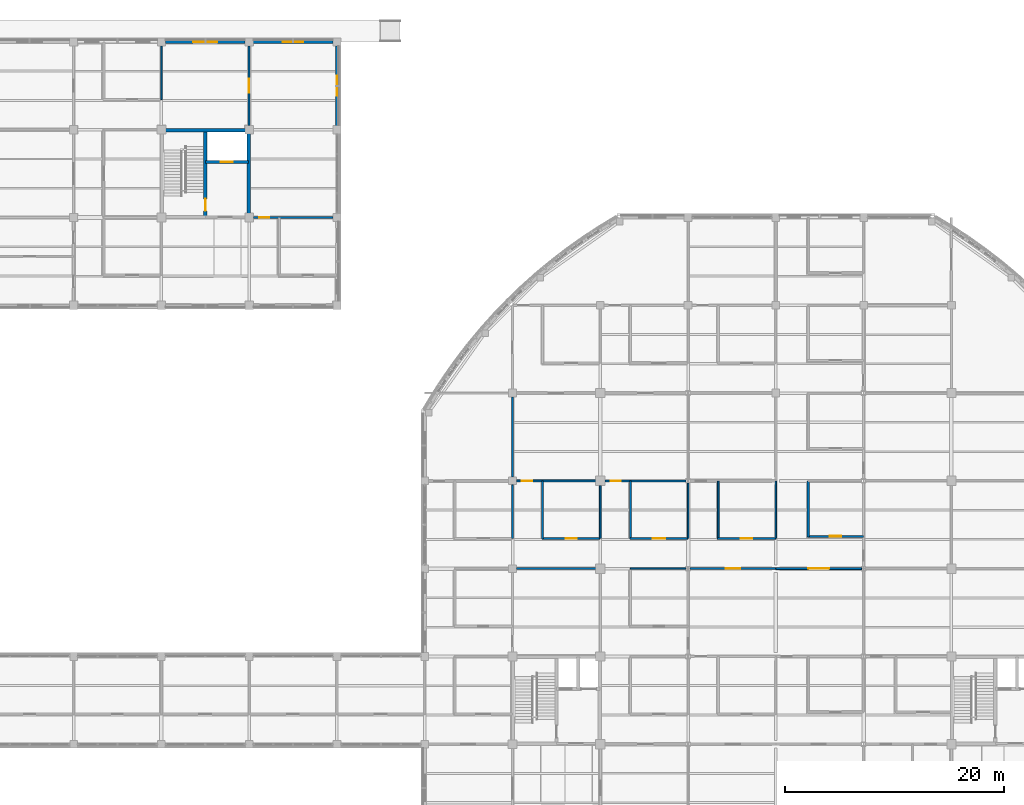
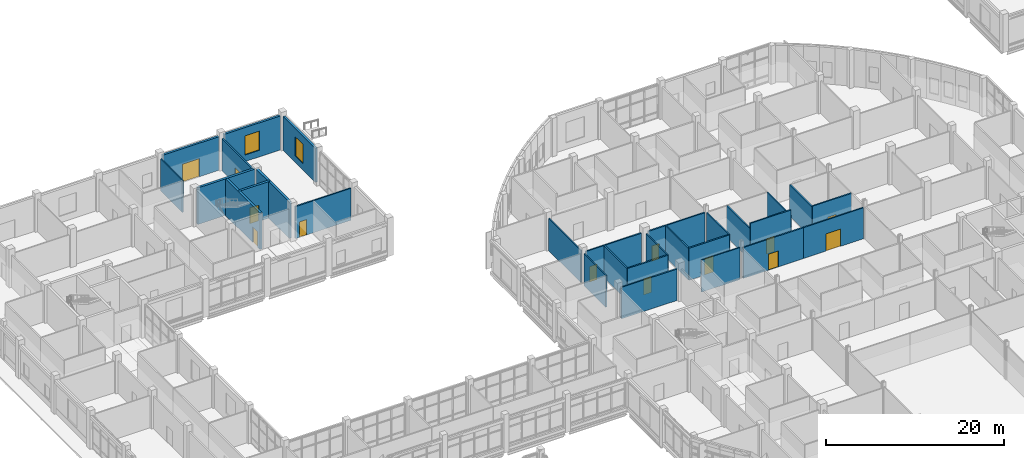
# One storey, part 71 of 105: 29 walls, 13 doors, 2 windows, 15 openings.
"""IFC4 building model written with IfcOpenShell, lengths in metres."""

from ifc_helpers import new_model, si_unit, derived_unit, direction, frame, frame_2d, origin, place, context, subcontext, project, spatial, rectangle, extrude, material, layer, layer_set, type_object, element, fill, save


model = new_model("IFC4")

# Units and contexts
model_context = context("Model", 3, precision=1e-05, world=origin(), true_north=direction((0.0, 1.0)))
body_context = subcontext(model_context, "Body", "Model", "MODEL_VIEW")
ifc_project = project(units=[si_unit("LENGTHUNIT", "METRE"), si_unit("AREAUNIT", "SQUARE_METRE"), si_unit("VOLUMEUNIT", "CUBIC_METRE"), si_unit("PLANEANGLEUNIT", "RADIAN"), si_unit("MASSUNIT", "GRAM", prefix="KILO"), derived_unit("THERMALTRANSMITTANCEUNIT", [(si_unit("MASSUNIT", "GRAM", prefix="KILO"), 1), (si_unit("TIMEUNIT", "SECOND"), -3), (si_unit("THERMODYNAMICTEMPERATUREUNIT", "KELVIN"), -1)])], contexts=[model_context])

# Site, building, storey
site_placement = place(None, origin())
site = spatial("IfcSite", under=ifc_project, at=site_placement, CompositionType="ELEMENT")
building_placement = place(site_placement, origin())
building = spatial("IfcBuilding", under=site, at=building_placement, Name="Veyamyaing Civic Hall", CompositionType="ELEMENT")
storey_placement = place(building_placement, origin())
storey = spatial("IfcBuildingStorey", under=building, at=storey_placement, Name="L00", CompositionType="ELEMENT", Elevation=0.0)

# Wall, opening, door
ifc_material_1 = material(Name="Precast concrete C40/50", Category="concrete")
ifc_layer_1 = layer(ifc_material_1, 0.280029296875, Name="Precast concrete C40/50")
ifc_layer_set_1 = layer_set([ifc_layer_1], Name="Precast concrete C40/50")
wall_type_1 = type_object("IfcWallType", Name="WT-04", PredefinedType="SOLIDWALL", material=ifc_layer_set_1)
wall_1_placement = place(storey_placement, frame((32.360107421875, 112.0, 0.0), z_axis=(0.0, 0.0, 1.0), x_axis=(1.0, 0.0, 0.0)))
wall_1 = element("IfcWall", 1, at=wall_1_placement, inside=storey, type_object=wall_type_1, Name="Exterior facade wall WT-04 L00 N 5.14", PredefinedType="SOLIDWALL", context=body_context, shape_type="SweptSolid", body=[
    extrude(rectangle(XDim=7.27978515625, YDim=0.280029296875, at=frame_2d((3.639892578125, 0.0))), origin(), (0.0, 0.0, 1.0), 4.614013671875),
])
opening_1_placement = place(wall_1_placement, frame((2.5400390625, 0.0, 0.0)))
opening_1 = element("IfcOpeningElement", 2, at=opening_1_placement, cuts=wall_1, Name="Opening D-01", PredefinedType="OPENING", context=body_context, shape_type="SweptSolid", body=[
    extrude(rectangle(XDim=2.199951171875, YDim=2.5, at=frame_2d((1.10009765625, 1.25))), frame((0.0, 0.14990234375, 0.0), z_axis=(0.0, -1.0, 0.0), x_axis=(1.0, 0.0, 0.0)), (0.0, 0.0, 1.0), 0.300048828125),
])
ifc_material_2 = material(Name="Anodised aluminium 6063-T6", Category="aluminium")
door_type_1 = type_object("IfcDoorType", Name="D-01", OperationType="DOUBLE_DOOR_SINGLE_SWING", PredefinedType="DOOR", material=ifc_material_2)
door_1_placement = place(opening_1_placement, origin())
door_1 = element("IfcDoor", 3, at=door_1_placement, inside=storey, type_object=door_type_1, Name="Main pedestrian final exit EX-07", OperationType="DOUBLE_DOOR_SINGLE_SWING", OverallHeight=2.5, OverallWidth=2.199951171875, PredefinedType="DOOR", context=body_context, shape_type="SweptSolid", body=[
    extrude(rectangle(XDim=2.199951171875, YDim=2.5, at=frame_2d((1.10009765625, 1.25))), frame((0.0, 0.02490234375, 0.0), z_axis=(0.0, -1.0, 0.0), x_axis=(1.0, 0.0, 0.0)), (0.0, 0.0, 1.0), 0.050048828125),
])
fill(opening_1, door_1)

# Wall, opening, window
wall_2_placement = place(storey_placement, frame((40.360107421875, 112.0, 0.0), z_axis=(0.0, 0.0, 1.0), x_axis=(1.0, 0.0, 0.0)))
wall_2 = element("IfcWall", 4, at=wall_2_placement, inside=storey, type_object=wall_type_1, Name="Exterior facade wall WT-04 L00 N 6.14", PredefinedType="SOLIDWALL", context=body_context, shape_type="SweptSolid", body=[
    extrude(rectangle(XDim=7.27978515625, YDim=0.280029296875, at=frame_2d((3.639892578125, 0.0))), origin(), (0.0, 0.0, 1.0), 4.677001953125),
])
opening_2_placement = place(wall_2_placement, frame((2.715087890625, 0.0, 0.89990234375)))
opening_2 = element("IfcOpeningElement", 5, at=opening_2_placement, cuts=wall_2, Name="Opening W-03", PredefinedType="OPENING", context=body_context, shape_type="SweptSolid", body=[
    extrude(rectangle(XDim=1.85009765625, YDim=2.64990234375, at=frame_2d((0.925048828125, 1.324951171875))), frame((0.0, 0.14990234375, 0.0), z_axis=(0.0, -1.0, 0.0), x_axis=(1.0, 0.0, 0.0)), (0.0, 0.0, 1.0), 0.300048828125),
])
ifc_material_3 = material(Name="Low-E insulated glass", Category="glass")
window_type = type_object("IfcWindowType", Name="W-03", PartitioningType="SINGLE_PANEL", PredefinedType="WINDOW", material=ifc_material_3)
window_1_placement = place(opening_2_placement, origin())
window_1 = element("IfcWindow", 6, at=window_1_placement, inside=storey, type_object=window_type, Name="Facade window W-03 L00 N 6.14", OverallHeight=2.64990234375, OverallWidth=1.85009765625, PartitioningType="SINGLE_PANEL", PredefinedType="WINDOW", context=body_context, shape_type="SweptSolid", body=[
    extrude(rectangle(XDim=1.85009765625, YDim=2.64990234375, at=frame_2d((0.925048828125, 1.324951171875))), frame((0.0, 0.030029296875, 0.0), z_axis=(0.0, -1.0, 0.0), x_axis=(1.0, 0.0, 0.0)), (0.0, 0.0, 1.0), 0.06005859375),
])
fill(opening_2, window_1)

wall_3_placement = place(storey_placement, frame((48.0, 104.360107421875, 0.0), z_axis=(0.0, 0.0, 1.0), x_axis=(0.0, 1.0, 0.0)))
wall_3 = element("IfcWall", 7, at=wall_3_placement, inside=storey, type_object=wall_type_1, Name="Exterior facade wall WT-04 L00 E 6.14", PredefinedType="SOLIDWALL", context=body_context, shape_type="SweptSolid", body=[
    extrude(rectangle(XDim=7.27978515625, YDim=0.280029296875, at=frame_2d((3.639892578125, 0.0))), origin(), (0.0, 0.0, 1.0), 4.677001953125),
])
opening_3_placement = place(wall_3_placement, frame((2.715087890625, 0.0, 0.89990234375)))
opening_3 = element("IfcOpeningElement", 8, at=opening_3_placement, cuts=wall_3, Name="Opening W-03", PredefinedType="OPENING", context=body_context, shape_type="SweptSolid", body=[
    extrude(rectangle(XDim=1.85009765625, YDim=2.64990234375, at=frame_2d((0.925048828125, 1.324951171875))), frame((0.0, 0.14990234375, 0.0), z_axis=(0.0, -1.0, 0.0), x_axis=(1.0, 0.0, 0.0)), (0.0, 0.0, 1.0), 0.300048828125),
])
window_2_placement = place(opening_3_placement, origin())
window_2 = element("IfcWindow", 9, at=window_2_placement, inside=storey, type_object=window_type, Name="Facade window W-03 L00 E 6.14", OverallHeight=2.64990234375, OverallWidth=1.85009765625, PartitioningType="SINGLE_PANEL", PredefinedType="WINDOW", context=body_context, shape_type="SweptSolid", body=[
    extrude(rectangle(XDim=1.85009765625, YDim=2.64990234375, at=frame_2d((0.925048828125, 1.324951171875))), frame((0.0, 0.030029296875, 0.0), z_axis=(0.0, -1.0, 0.0), x_axis=(1.0, 0.0, 0.0)), (0.0, 0.0, 1.0), 0.06005859375),
])
fill(opening_3, window_2)

# Walls
ifc_material_4 = material(Name="Concrete C40/50", Category="concrete")
ifc_layer_2 = layer(ifc_material_4, 0.300048828125, Name="Concrete C40/50")
ifc_layer_set_2 = layer_set([ifc_layer_2], Name="Concrete C40/50")
wall_type_2 = type_object("IfcWallType", Name="WT-05", PredefinedType="SHEAR", material=ifc_layer_set_2)
for number, where, z_axis, x_axis, name in (
    (10, (32.2900390625, 103.949951171875, 0.0), (0.0, 0.0, 1.0), (1.0, 0.0, 0.0), "Core shear wall WT-05 CORE-2 L00.N"),
    (11, (39.949951171875, 96.2900390625, 0.0), (0.0, 0.0, 1.0), (0.0, 1.0, 0.0), "Core shear wall WT-05 CORE-2 L00.E"),
):
    element("IfcWall", number, at=place(storey_placement, frame(where, z_axis=z_axis, x_axis=x_axis)), inside=storey, type_object=wall_type_2, Name=name, PredefinedType="SHEAR", context=body_context, shape_type="SweptSolid", body=[
        extrude(rectangle(XDim=7.419921875, YDim=0.300048828125, at=frame_2d((3.7099609375, 0.0))), origin(), (0.0, 0.0, 1.0), 5.034912109375),
    ])

# Wall, opening, door
wall_4_placement = place(storey_placement, frame((36.0, 96.050048828125, 0.0), z_axis=(0.0, 0.0, 1.0), x_axis=(0.0, 1.0, 0.0)))
wall_4 = element("IfcWall", 12, at=wall_4_placement, inside=storey, type_object=wall_type_2, Name="Core shear wall WT-05 CORE-2 L00.MID", PredefinedType="SHEAR", context=body_context, shape_type="SweptSolid", body=[
    extrude(rectangle(XDim=7.89990234375, YDim=0.300048828125, at=frame_2d((3.949951171875, 0.0))), origin(), (0.0, 0.0, 1.0), 5.034912109375),
])
opening_4_placement = place(wall_4_placement, frame((0.550048828125, 0.0, 0.0)))
opening_4 = element("IfcOpeningElement", 13, at=opening_4_placement, cuts=wall_4, Name="Opening D-03", PredefinedType="OPENING", context=body_context, shape_type="SweptSolid", body=[
    extrude(rectangle(XDim=1.10009765625, YDim=2.14990234375, at=frame_2d((0.550048828125, 1.074951171875))), frame((0.0, 0.159912109375, 0.0), z_axis=(0.0, -1.0, 0.0), x_axis=(1.0, 0.0, 0.0)), (0.0, 0.0, 1.0), 0.320068359375),
])
ifc_material_5 = material(Name="Galvanized steel S355J2", Category="steel")
door_type_2 = type_object("IfcDoorType", Name="D-03", OperationType="NOTDEFINED", PredefinedType="DOOR", material=ifc_material_5)
door_2_placement = place(opening_4_placement, frame((1.10009765625, 0.0, 0.0), z_axis=(0.0, 0.0, 1.0), x_axis=(-1.0, 0.0, 0.0)))
door_2 = element("IfcDoor", 14, at=door_2_placement, inside=storey, type_object=door_type_2, Name="Exit stair fire door D-03 ST-02 L00", OperationType="SINGLE_SWING_RIGHT", OverallHeight=2.14990234375, OverallWidth=1.10009765625, PredefinedType="DOOR", context=body_context, shape_type="SweptSolid", body=[
    extrude(rectangle(XDim=1.10009765625, YDim=2.14990234375, at=frame_2d((0.550048828125, 1.074951171875))), frame((0.0, 0.02490234375, 0.0), z_axis=(0.0, -1.0, 0.0), x_axis=(1.0, 0.0, 0.0)), (0.0, 0.0, 1.0), 0.050048828125),
])
fill(opening_4, door_2)

wall_5_placement = place(storey_placement, frame((36.0, 101.050048828125, 0.0), z_axis=(0.0, 0.0, 1.0), x_axis=(1.0, 0.0, 0.0)))
wall_5 = element("IfcWall", 15, at=wall_5_placement, inside=storey, type_object=wall_type_2, Name="Core shear wall WT-05 CORE-2 L00.LFT", PredefinedType="SHEAR", context=body_context, shape_type="SweptSolid", body=[
    extrude(rectangle(XDim=3.949951171875, YDim=0.300048828125, at=frame_2d((1.97509765625, 0.0))), origin(), (0.0, 0.0, 1.0), 5.034912109375),
])
opening_5_placement = place(wall_5_placement, frame((1.425048828125, 0.0, 0.0)))
opening_5 = element("IfcOpeningElement", 16, at=opening_5_placement, cuts=wall_5, Name="Opening LD-01", PredefinedType="OPENING", context=body_context, shape_type="SweptSolid", body=[
    extrude(rectangle(XDim=1.10009765625, YDim=2.199951171875, at=frame_2d((0.550048828125, 1.10009765625))), frame((0.0, 0.159912109375, 0.0), z_axis=(0.0, -1.0, 0.0), x_axis=(1.0, 0.0, 0.0)), (0.0, 0.0, 1.0), 0.320068359375),
])
door_type_3 = type_object("IfcDoorType", Name="LD-01", OperationType="SLIDING_TO_LEFT", PredefinedType="DOOR", material=ifc_material_2)
door_3_placement = place(opening_5_placement, origin())
door_3 = element("IfcDoor", 17, at=door_3_placement, inside=storey, type_object=door_type_3, Name="Lift sliding landing door LD-01 PL-01 L00", OperationType="SLIDING_TO_LEFT", OverallHeight=2.199951171875, OverallWidth=1.10009765625, PredefinedType="DOOR", context=body_context, shape_type="SweptSolid", body=[
    extrude(rectangle(XDim=1.10009765625, YDim=2.199951171875, at=frame_2d((0.550048828125, 1.10009765625))), frame((0.0, 0.02490234375, 0.0), z_axis=(0.0, -1.0, 0.0), x_axis=(1.0, 0.0, 0.0)), (0.0, 0.0, 1.0), 0.050048828125),
])
fill(opening_5, door_3)

ifc_material_6 = material(Name="Gypsum board on acoustic steel stud", Category="steel")
ifc_layer_3 = layer(ifc_material_6, 0.175048828125, Name="Gypsum board on acoustic steel stud")
ifc_layer_set_3 = layer_set([ifc_layer_3], Name="Gypsum board on acoustic steel stud")
wall_type_3 = type_object("IfcWallType", Name="WT-07", PredefinedType="PARTITIONING", material=ifc_layer_set_3)
wall_6_placement = place(storey_placement, frame((82.699951171875, 66.75, 0.0), z_axis=(0.0, 0.0, 1.0), x_axis=(1.0, 0.0, 0.0)))
wall_6 = element("IfcWall", 18, at=wall_6_placement, inside=storey, type_object=wall_type_3, Name="Corridor gallery partition WT-07 L00.39.1", PredefinedType="PARTITIONING", context=body_context, shape_type="SweptSolid", body=[
    extrude(rectangle(XDim=5.280029296875, YDim=0.175048828125, at=frame_2d((2.64013671875, 0.0))), origin(), (0.0, 0.0, 1.0), 5.02490234375),
])
opening_6_placement = place(wall_6_placement, frame((2.114990234375, 0.0, 0.0)))
opening_6 = element("IfcOpeningElement", 19, at=opening_6_placement, cuts=wall_6, Name="Opening D-12", PredefinedType="OPENING", context=body_context, shape_type="SweptSolid", body=[
    extrude(rectangle(XDim=1.050048828125, YDim=2.14990234375, at=frame_2d((0.52490234375, 1.074951171875))), frame((0.0, 0.097412109375, 0.0), z_axis=(0.0, -1.0, 0.0), x_axis=(1.0, 0.0, 0.0)), (0.0, 0.0, 1.0), 0.195068359375),
])
ifc_material_7 = material(Name="Teak-veneered acoustic timber", Category="wood")
door_type_4 = type_object("IfcDoorType", Name="D-12", OperationType="NOTDEFINED", PredefinedType="DOOR", material=ifc_material_7)
door_4_placement = place(opening_6_placement, origin())
door_4 = element("IfcDoor", 20, at=door_4_placement, inside=storey, type_object=door_type_4, Name="Gallery office door D-12 L00.39", OperationType="SINGLE_SWING_RIGHT", OverallHeight=2.14990234375, OverallWidth=1.050048828125, PredefinedType="DOOR", context=body_context, shape_type="SweptSolid", body=[
    extrude(rectangle(XDim=1.050048828125, YDim=2.14990234375, at=frame_2d((0.52490234375, 1.074951171875))), frame((0.0, 0.02490234375, 0.0), z_axis=(0.0, -1.0, 0.0), x_axis=(1.0, 0.0, 0.0)), (0.0, 0.0, 1.0), 0.050048828125),
])
fill(opening_6, door_4)

# Wall
wall_7_placement = place(storey_placement, frame((82.75, 66.699951171875, 0.0), z_axis=(0.0, 0.0, 1.0), x_axis=(0.0, 1.0, 0.0)))
element("IfcWall", 21, at=wall_7_placement, inside=storey, type_object=wall_type_3, Name="Corridor gallery partition WT-07 L00.39.2", PredefinedType="PARTITIONING", context=body_context, shape_type="SweptSolid", body=[
    extrude(rectangle(XDim=5.280029296875, YDim=0.175048828125, at=frame_2d((2.64013671875, 0.0))), origin(), (0.0, 0.0, 1.0), 4.261962890625),
])

# Wall, opening, door
wall_8_placement = place(storey_placement, frame((40.389892578125, 96.0, 0.0), z_axis=(0.0, 0.0, 1.0), x_axis=(1.0, 0.0, 0.0)))
wall_8 = element("IfcWall", 22, at=wall_8_placement, inside=storey, type_object=wall_type_3, Name="Interior partition wall WT-07 L00.39", PredefinedType="PARTITIONING", context=body_context, shape_type="SweptSolid", body=[
    extrude(rectangle(XDim=7.2451171875, YDim=0.175048828125, at=frame_2d((3.62255859375, 0.0))), origin(), (0.0, 0.0, 1.0), 4.403076171875),
])
opening_7_placement = place(wall_8_placement, frame((0.52001953125, 0.0, 0.0)))
opening_7 = element("IfcOpeningElement", 23, at=opening_7_placement, cuts=wall_8, Name="Opening D-30", PredefinedType="OPENING", context=body_context, shape_type="SweptSolid", body=[
    extrude(rectangle(XDim=0.93994140625, YDim=2.1201171875, at=frame_2d((0.469970703125, 1.06005859375))), frame((0.0, 0.097412109375, 0.0), z_axis=(0.0, -1.0, 0.0), x_axis=(1.0, 0.0, 0.0)), (0.0, 0.0, 1.0), 0.195068359375),
])
door_type_5 = type_object("IfcDoorType", Name="D-30", OperationType="NOTDEFINED", PredefinedType="DOOR", material=ifc_material_7)
door_5_placement = place(opening_7_placement, origin())
door_5 = element("IfcDoor", 24, at=door_5_placement, inside=storey, type_object=door_type_5, Name="Interior door D-30 L00.39", OperationType="SINGLE_SWING_LEFT", OverallHeight=2.1201171875, OverallWidth=0.93994140625, PredefinedType="DOOR", context=body_context, shape_type="SweptSolid", body=[
    extrude(rectangle(XDim=0.93994140625, YDim=2.1201171875, at=frame_2d((0.469970703125, 1.06005859375))), frame((0.0, 0.02490234375, 0.0), z_axis=(0.0, -1.0, 0.0), x_axis=(1.0, 0.0, 0.0)), (0.0, 0.0, 1.0), 0.050048828125),
])
fill(opening_7, door_5)

wall_9_placement = place(storey_placement, frame((64.340087890625, 72.0, 0.0), z_axis=(0.0, 0.0, 1.0), x_axis=(1.0, 0.0, 0.0)))
wall_9 = element("IfcWall", 25, at=wall_9_placement, inside=storey, type_object=wall_type_3, Name="Interior partition wall WT-07 L00.55", PredefinedType="PARTITIONING", context=body_context, shape_type="SweptSolid", body=[
    extrude(rectangle(XDim=7.244873046875, YDim=0.175048828125, at=frame_2d((3.62255859375, 0.0))), origin(), (0.0, 0.0, 1.0), 4.403076171875),
])
opening_8_placement = place(wall_9_placement, frame((0.52001953125, 0.0, 0.0)))
opening_8 = element("IfcOpeningElement", 26, at=opening_8_placement, cuts=wall_9, Name="Opening D-30", PredefinedType="OPENING", context=body_context, shape_type="SweptSolid", body=[
    extrude(rectangle(XDim=0.93994140625, YDim=2.1201171875, at=frame_2d((0.469970703125, 1.06005859375))), frame((0.0, 0.097412109375, 0.0), z_axis=(0.0, -1.0, 0.0), x_axis=(1.0, 0.0, 0.0)), (0.0, 0.0, 1.0), 0.195068359375),
])
door_6_placement = place(opening_8_placement, origin())
door_6 = element("IfcDoor", 27, at=door_6_placement, inside=storey, type_object=door_type_5, Name="Interior door D-30 L00.55", OperationType="SINGLE_SWING_RIGHT", OverallHeight=2.1201171875, OverallWidth=0.93994140625, PredefinedType="DOOR", context=body_context, shape_type="SweptSolid", body=[
    extrude(rectangle(XDim=0.93994140625, YDim=2.1201171875, at=frame_2d((0.469970703125, 1.06005859375))), frame((0.0, 0.02490234375, 0.0), z_axis=(0.0, -1.0, 0.0), x_axis=(1.0, 0.0, 0.0)), (0.0, 0.0, 1.0), 0.050048828125),
])
fill(opening_8, door_6)

wall_10_placement = place(storey_placement, frame((88.0, 64.0, 0.0), z_axis=(0.0, 0.0, 1.0), x_axis=(1.0, 0.0, 0.0)))
wall_10 = element("IfcWall", 28, at=wall_10_placement, inside=storey, type_object=wall_type_3, Name="Interior partition wall WT-07 L00.91", PredefinedType="PARTITIONING", context=body_context, shape_type="SweptSolid", body=[
    extrude(rectangle(XDim=7.81103515625, YDim=0.175048828125, at=frame_2d((3.905517578125, 0.0))), origin(), (0.0, 0.0, 1.0), 4.25),
])
opening_9_placement = place(wall_10_placement, frame((2.95556640625, 0.0, 0.0)))
opening_9 = element("IfcOpeningElement", 29, at=opening_9_placement, cuts=wall_10, Name="Opening D-31", PredefinedType="OPENING", context=body_context, shape_type="SweptSolid", body=[
    extrude(rectangle(XDim=1.89990234375, YDim=2.3798828125, at=frame_2d((0.949951171875, 1.18994140625))), frame((0.0, 0.097412109375, 0.0), z_axis=(0.0, -1.0, 0.0), x_axis=(1.0, 0.0, 0.0)), (0.0, 0.0, 1.0), 0.195068359375),
])
door_type_6 = type_object("IfcDoorType", Name="D-31", OperationType="DOUBLE_DOOR_SINGLE_SWING", PredefinedType="DOOR", material=ifc_material_7)
door_7_placement = place(opening_9_placement, frame((1.89990234375, 0.0, 0.0), z_axis=(0.0, 0.0, 1.0), x_axis=(-1.0, 0.0, 0.0)))
door_7 = element("IfcDoor", 30, at=door_7_placement, inside=storey, type_object=door_type_6, Name="Interior door D-31 L00.91", OperationType="DOUBLE_DOOR_SINGLE_SWING", OverallHeight=2.3798828125, OverallWidth=1.89990234375, PredefinedType="DOOR", context=body_context, shape_type="SweptSolid", body=[
    extrude(rectangle(XDim=1.89990234375, YDim=2.3798828125, at=frame_2d((0.949951171875, 1.18994140625))), frame((0.0, 0.02490234375, 0.0), z_axis=(0.0, -1.0, 0.0), x_axis=(1.0, 0.0, 0.0)), (0.0, 0.0, 1.0), 0.050048828125),
])
fill(opening_9, door_7)

# Walls
ifc_material_8 = material(Name="Gypsum board on steel stud", Category="steel")
ifc_layer_4 = layer(ifc_material_8, 0.14990234375, Name="Gypsum board on steel stud")
ifc_layer_set_4 = layer_set([ifc_layer_4], Name="Gypsum board on steel stud")
wall_type_4 = type_object("IfcWallType", Name="WT-08", PredefinedType="PARTITIONING", material=ifc_layer_set_4)
wall_11_placement = place(storey_placement, frame((32.0, 106.75, 0.0), z_axis=(0.0, 0.0, 1.0), x_axis=(0.0, 1.0, 0.0)))
element("IfcWall", 31, at=wall_11_placement, inside=storey, type_object=wall_type_4, Name="Gallery office end partition WT-08 L00.18.2", PredefinedType="PARTITIONING", context=body_context, shape_type="SweptSolid", body=[
    extrude(rectangle(XDim=4.864990234375, YDim=0.14990234375, at=frame_2d((2.4326171875, 0.0))), origin(), (0.0, 0.0, 1.0), 4.412109375),
])
wall_12_placement = place(storey_placement, frame((64.0, 66.75, 0.0), z_axis=(0.0, 0.0, 1.0), x_axis=(0.0, 1.0, 0.0)))
element("IfcWall", 32, at=wall_12_placement, inside=storey, type_object=wall_type_4, Name="Gallery office end partition WT-08 L00.29.2", PredefinedType="PARTITIONING", context=body_context, shape_type="SweptSolid", body=[
    extrude(rectangle(XDim=4.889892578125, YDim=0.14990234375, at=frame_2d((2.44482421875, 0.0))), origin(), (0.0, 0.0, 1.0), 4.403076171875),
])
wall_13_placement = place(storey_placement, frame((72.0, 66.75, 0.0), z_axis=(0.0, 0.0, 1.0), x_axis=(0.0, 1.0, 0.0)))
element("IfcWall", 33, at=wall_13_placement, inside=storey, type_object=wall_type_4, Name="Gallery office end partition WT-08 L00.32.2", PredefinedType="PARTITIONING", context=body_context, shape_type="SweptSolid", body=[
    extrude(rectangle(XDim=4.81494140625, YDim=0.14990234375, at=frame_2d((2.407470703125, 0.0))), origin(), (0.0, 0.0, 1.0), 4.412109375),
])
wall_14_placement = place(storey_placement, frame((74.75, 64.0, 0.0), z_axis=(0.0, 0.0, 1.0), x_axis=(1.0, 0.0, 0.0)))
element("IfcWall", 34, at=wall_14_placement, inside=storey, type_object=wall_type_4, Name="Gallery office end partition WT-08 L00.35.1", PredefinedType="PARTITIONING", context=body_context, shape_type="SweptSolid", body=[
    extrude(rectangle(XDim=5.041015625, YDim=0.14990234375, at=frame_2d((2.5205078125, 0.0))), origin(), (0.0, 0.0, 1.0), 4.403076171875),
])
wall_15_placement = place(storey_placement, frame((80.0, 66.75, 0.0), z_axis=(0.0, 0.0, 1.0), x_axis=(0.0, 1.0, 0.0)))
element("IfcWall", 35, at=wall_15_placement, inside=storey, type_object=wall_type_4, Name="Gallery office end partition WT-08 L00.36.2", PredefinedType="PARTITIONING", context=body_context, shape_type="SweptSolid", body=[
    extrude(rectangle(XDim=5.04638671875, YDim=0.14990234375, at=frame_2d((2.523193359375, 0.0))), origin(), (0.0, 0.0, 1.0), 4.404052734375),
])
wall_16_placement = place(storey_placement, frame((88.0, 66.75, 0.0), z_axis=(0.0, 0.0, 1.0), x_axis=(0.0, 1.0, 0.0)))
element("IfcWall", 36, at=wall_16_placement, inside=storey, type_object=wall_type_4, Name="Gallery office end partition WT-08 L00.39.2", PredefinedType="PARTITIONING", context=body_context, shape_type="SweptSolid", body=[
    extrude(rectangle(XDim=5.22998046875, YDim=0.14990234375, at=frame_2d((2.614990234375, 0.0))), origin(), (0.0, 0.0, 1.0), 4.261962890625),
])
wall_17_placement = place(storey_placement, frame((64.0, 72.340087890625, 0.0), z_axis=(0.0, 0.0, 1.0), x_axis=(0.0, 1.0, 0.0)))
element("IfcWall", 37, at=wall_17_placement, inside=storey, type_object=wall_type_4, Name="Interior partition wall WT-08 L00.47", PredefinedType="PARTITIONING", context=body_context, shape_type="SweptSolid", body=[
    extrude(rectangle(XDim=7.31982421875, YDim=0.14990234375, at=frame_2d((3.659912109375, 0.0))), origin(), (0.0, 0.0, 1.0), 4.412109375),
])

# Wall, opening, door
ifc_material_9 = material(Name="Gypsum board on double acoustic stud")
ifc_layer_5 = layer(ifc_material_9, 0.18505859375, Name="Gypsum board on double acoustic stud")
ifc_layer_set_5 = layer_set([ifc_layer_5], Name="Gypsum board on double acoustic stud")
wall_type_5 = type_object("IfcWallType", Name="WT-19", PredefinedType="PARTITIONING", material=ifc_layer_set_5)
wall_18_placement = place(storey_placement, frame((66.699951171875, 66.75, 0.0), z_axis=(0.0, 0.0, 1.0), x_axis=(1.0, 0.0, 0.0)))
wall_18 = element("IfcWall", 38, at=wall_18_placement, inside=storey, type_object=wall_type_5, Name="Corridor gallery partition WT-19 L00.32.1", PredefinedType="PARTITIONING", context=body_context, shape_type="SweptSolid", body=[
    extrude(rectangle(XDim=5.280029296875, YDim=0.18505859375, at=frame_2d((2.64013671875, 0.0))), origin(), (0.0, 0.0, 1.0), 4.412109375),
])
opening_10_placement = place(wall_18_placement, frame((2.1298828125, 0.0, 0.0)))
opening_10 = element("IfcOpeningElement", 39, at=opening_10_placement, cuts=wall_18, Name="Opening D-19", PredefinedType="OPENING", context=body_context, shape_type="SweptSolid", body=[
    extrude(rectangle(XDim=1.02001953125, YDim=2.199951171875, at=frame_2d((0.510009765625, 1.10009765625))), frame((0.0, 0.1025390625, 0.0), z_axis=(0.0, -1.0, 0.0), x_axis=(1.0, 0.0, 0.0)), (0.0, 0.0, 1.0), 0.205078125),
])
door_type_7 = type_object("IfcDoorType", Name="D-19", OperationType="NOTDEFINED", PredefinedType="DOOR", material=ifc_material_7)
door_8_placement = place(opening_10_placement, origin())
door_8 = element("IfcDoor", 40, at=door_8_placement, inside=storey, type_object=door_type_7, Name="Gallery office door D-19 L00.32", OperationType="SINGLE_SWING_LEFT", OverallHeight=2.199951171875, OverallWidth=1.02001953125, PredefinedType="DOOR", context=body_context, shape_type="SweptSolid", body=[
    extrude(rectangle(XDim=1.02001953125, YDim=2.199951171875, at=frame_2d((0.510009765625, 1.10009765625))), frame((0.0, 0.02490234375, 0.0), z_axis=(0.0, -1.0, 0.0), x_axis=(1.0, 0.0, 0.0)), (0.0, 0.0, 1.0), 0.050048828125),
])
fill(opening_10, door_8)

# Wall
wall_19_placement = place(storey_placement, frame((66.75, 66.699951171875, 0.0), z_axis=(0.0, 0.0, 1.0), x_axis=(0.0, 1.0, 0.0)))
element("IfcWall", 41, at=wall_19_placement, inside=storey, type_object=wall_type_5, Name="Corridor gallery partition WT-19 L00.32.2", PredefinedType="PARTITIONING", context=body_context, shape_type="SweptSolid", body=[
    extrude(rectangle(XDim=5.280029296875, YDim=0.18505859375, at=frame_2d((2.64013671875, 0.0))), origin(), (0.0, 0.0, 1.0), 4.403076171875),
])

# Wall, opening, door
wall_20_placement = place(storey_placement, frame((74.699951171875, 66.75, 0.0), z_axis=(0.0, 0.0, 1.0), x_axis=(1.0, 0.0, 0.0)))
wall_20 = element("IfcWall", 42, at=wall_20_placement, inside=storey, type_object=wall_type_5, Name="Corridor gallery partition WT-19 L00.36.1", PredefinedType="PARTITIONING", context=body_context, shape_type="SweptSolid", body=[
    extrude(rectangle(XDim=5.280029296875, YDim=0.18505859375, at=frame_2d((2.64013671875, 0.0))), origin(), (0.0, 0.0, 1.0), 4.404052734375),
])
opening_11_placement = place(wall_20_placement, frame((2.080078125, 0.0, 0.0)))
opening_11 = element("IfcOpeningElement", 43, at=opening_11_placement, cuts=wall_20, Name="Opening D-26", PredefinedType="OPENING", context=body_context, shape_type="SweptSolid", body=[
    extrude(rectangle(XDim=1.1201171875, YDim=2.219970703125, at=frame_2d((0.56005859375, 1.10986328125))), frame((0.0, 0.1025390625, 0.0), z_axis=(0.0, -1.0, 0.0), x_axis=(1.0, 0.0, 0.0)), (0.0, 0.0, 1.0), 0.205078125),
])
door_type_8 = type_object("IfcDoorType", Name="D-26", OperationType="NOTDEFINED", PredefinedType="DOOR", material=ifc_material_7)
door_9_placement = place(opening_11_placement, origin())
door_9 = element("IfcDoor", 44, at=door_9_placement, inside=storey, type_object=door_type_8, Name="Gallery office door D-26 L00.36", OperationType="SINGLE_SWING_LEFT", OverallHeight=2.219970703125, OverallWidth=1.1201171875, PredefinedType="DOOR", context=body_context, shape_type="SweptSolid", body=[
    extrude(rectangle(XDim=1.1201171875, YDim=2.219970703125, at=frame_2d((0.56005859375, 1.10986328125))), frame((0.0, 0.02490234375, 0.0), z_axis=(0.0, -1.0, 0.0), x_axis=(1.0, 0.0, 0.0)), (0.0, 0.0, 1.0), 0.050048828125),
])
fill(opening_11, door_9)

# Wall
wall_21_placement = place(storey_placement, frame((74.75, 66.699951171875, 0.0), z_axis=(0.0, 0.0, 1.0), x_axis=(0.0, 1.0, 0.0)))
element("IfcWall", 45, at=wall_21_placement, inside=storey, type_object=wall_type_5, Name="Corridor gallery partition WT-19 L00.36.2", PredefinedType="PARTITIONING", context=body_context, shape_type="SweptSolid", body=[
    extrude(rectangle(XDim=5.280029296875, YDim=0.18505859375, at=frame_2d((2.64013671875, 0.0))), origin(), (0.0, 0.0, 1.0), 4.3359375),
])

# Wall, opening, door
wall_22_placement = place(storey_placement, frame((90.89990234375, 66.949951171875, 0.0), z_axis=(0.0, 0.0, 1.0), x_axis=(1.0, 0.0, 0.0)))
wall_22 = element("IfcWall", 46, at=wall_22_placement, inside=storey, type_object=wall_type_5, Name="Corridor gallery partition WT-19 L00.42.1", PredefinedType="PARTITIONING", context=body_context, shape_type="SweptSolid", body=[
    extrude(rectangle(XDim=5.080078125, YDim=0.18505859375, at=frame_2d((2.5400390625, 0.0))), origin(), (0.0, 0.0, 1.0), 4.403076171875),
])
opening_12_placement = place(wall_22_placement, frame((2.030029296875, 0.0, 0.0)))
opening_12 = element("IfcOpeningElement", 47, at=opening_12_placement, cuts=wall_22, Name="Opening D-19", PredefinedType="OPENING", context=body_context, shape_type="SweptSolid", body=[
    extrude(rectangle(XDim=1.02001953125, YDim=2.199951171875, at=frame_2d((0.510009765625, 1.10009765625))), frame((0.0, 0.1025390625, 0.0), z_axis=(0.0, -1.0, 0.0), x_axis=(1.0, 0.0, 0.0)), (0.0, 0.0, 1.0), 0.205078125),
])
door_10_placement = place(opening_12_placement, origin())
door_10 = element("IfcDoor", 48, at=door_10_placement, inside=storey, type_object=door_type_7, Name="Gallery office door D-19 L00.42", OperationType="SINGLE_SWING_LEFT", OverallHeight=2.199951171875, OverallWidth=1.02001953125, PredefinedType="DOOR", context=body_context, shape_type="SweptSolid", body=[
    extrude(rectangle(XDim=1.02001953125, YDim=2.199951171875, at=frame_2d((0.510009765625, 1.10009765625))), frame((0.0, 0.02490234375, 0.0), z_axis=(0.0, -1.0, 0.0), x_axis=(1.0, 0.0, 0.0)), (0.0, 0.0, 1.0), 0.050048828125),
])
fill(opening_12, door_10)

# Wall
wall_23_placement = place(storey_placement, frame((90.949951171875, 66.89990234375, 0.0), z_axis=(0.0, 0.0, 1.0), x_axis=(0.0, 1.0, 0.0)))
element("IfcWall", 49, at=wall_23_placement, inside=storey, type_object=wall_type_5, Name="Corridor gallery partition WT-19 L00.42.2", PredefinedType="PARTITIONING", context=body_context, shape_type="SweptSolid", body=[
    extrude(rectangle(XDim=5.080078125, YDim=0.18505859375, at=frame_2d((2.5400390625, 0.0))), origin(), (0.0, 0.0, 1.0), 4.261962890625),
])

# Wall, opening, door
wall_24_placement = place(storey_placement, frame((40.0, 104.389892578125, 0.0), z_axis=(0.0, 0.0, 1.0), x_axis=(0.0, 1.0, 0.0)))
wall_24 = element("IfcWall", 50, at=wall_24_placement, inside=storey, type_object=wall_type_5, Name="Interior partition wall WT-19 L00.38", PredefinedType="PARTITIONING", context=body_context, shape_type="SweptSolid", body=[
    extrude(rectangle(XDim=7.2451171875, YDim=0.18505859375, at=frame_2d((3.62255859375, 0.0))), origin(), (0.0, 0.0, 1.0), 4.404052734375),
])
opening_13_placement = place(wall_24_placement, frame((2.972412109375, 0.0, 0.0)))
opening_13 = element("IfcOpeningElement", 51, at=opening_13_placement, cuts=wall_24, Name="Opening D-18", PredefinedType="OPENING", context=body_context, shape_type="SweptSolid", body=[
    extrude(rectangle(XDim=1.300048828125, YDim=2.199951171875, at=frame_2d((0.64990234375, 1.10009765625))), frame((0.0, 0.1025390625, 0.0), z_axis=(0.0, -1.0, 0.0), x_axis=(1.0, 0.0, 0.0)), (0.0, 0.0, 1.0), 0.205078125),
])
door_type_9 = type_object("IfcDoorType", Name="D-18", OperationType="DOUBLE_DOOR_SINGLE_SWING", PredefinedType="DOOR", material=ifc_material_2)
door_11_placement = place(opening_13_placement, frame((1.300048828125, 0.0, 0.0), z_axis=(0.0, 0.0, 1.0), x_axis=(-1.0, 0.0, 0.0)))
door_11 = element("IfcDoor", 52, at=door_11_placement, inside=storey, type_object=door_type_9, Name="Interior door D-18 L00.38", OperationType="DOUBLE_DOOR_SINGLE_SWING", OverallHeight=2.199951171875, OverallWidth=1.300048828125, PredefinedType="DOOR", context=body_context, shape_type="SweptSolid", body=[
    extrude(rectangle(XDim=1.300048828125, YDim=2.199951171875, at=frame_2d((0.64990234375, 1.10009765625))), frame((0.0, 0.02490234375, 0.0), z_axis=(0.0, -1.0, 0.0), x_axis=(1.0, 0.0, 0.0)), (0.0, 0.0, 1.0), 0.050048828125),
])
fill(opening_13, door_11)

# Wall
wall_25_placement = place(storey_placement, frame((64.340087890625, 64.0, 0.0), z_axis=(0.0, 0.0, 1.0), x_axis=(1.0, 0.0, 0.0)))
element("IfcWall", 53, at=wall_25_placement, inside=storey, type_object=wall_type_5, Name="Interior partition wall WT-19 L00.54", PredefinedType="PARTITIONING", context=body_context, shape_type="SweptSolid", body=[
    extrude(rectangle(XDim=7.244873046875, YDim=0.18505859375, at=frame_2d((3.62255859375, 0.0))), origin(), (0.0, 0.0, 1.0), 4.326904296875),
])

# Wall, opening, door
wall_26_placement = place(storey_placement, frame((72.4150390625, 72.0, 0.0), z_axis=(0.0, 0.0, 1.0), x_axis=(1.0, 0.0, 0.0)))
wall_26 = element("IfcWall", 54, at=wall_26_placement, inside=storey, type_object=wall_type_5, Name="Interior partition wall WT-19 L00.68", PredefinedType="PARTITIONING", context=body_context, shape_type="SweptSolid", body=[
    extrude(rectangle(XDim=7.39599609375, YDim=0.18505859375, at=frame_2d((3.697998046875, 0.0))), origin(), (0.0, 0.0, 1.0), 4.3359375),
])
opening_14_placement = place(wall_26_placement, frame((0.52001953125, 0.0, 0.0)))
opening_14 = element("IfcOpeningElement", 55, at=opening_14_placement, cuts=wall_26, Name="Opening D-30", PredefinedType="OPENING", context=body_context, shape_type="SweptSolid", body=[
    extrude(rectangle(XDim=0.93994140625, YDim=2.1201171875, at=frame_2d((0.469970703125, 1.06005859375))), frame((0.0, 0.1025390625, 0.0), z_axis=(0.0, -1.0, 0.0), x_axis=(1.0, 0.0, 0.0)), (0.0, 0.0, 1.0), 0.205078125),
])
door_12_placement = place(opening_14_placement, origin())
door_12 = element("IfcDoor", 56, at=door_12_placement, inside=storey, type_object=door_type_5, Name="Interior door D-30 L00.68", OperationType="SINGLE_SWING_RIGHT", OverallHeight=2.1201171875, OverallWidth=0.93994140625, PredefinedType="DOOR", context=body_context, shape_type="SweptSolid", body=[
    extrude(rectangle(XDim=0.93994140625, YDim=2.1201171875, at=frame_2d((0.469970703125, 1.06005859375))), frame((0.0, 0.02490234375, 0.0), z_axis=(0.0, -1.0, 0.0), x_axis=(1.0, 0.0, 0.0)), (0.0, 0.0, 1.0), 0.050048828125),
])
fill(opening_14, door_12)

wall_27_placement = place(storey_placement, frame((80.18896484375, 64.0, 0.0), z_axis=(0.0, 0.0, 1.0), x_axis=(1.0, 0.0, 0.0)))
wall_27 = element("IfcWall", 57, at=wall_27_placement, inside=storey, type_object=wall_type_5, Name="Interior partition wall WT-19 L00.76", PredefinedType="PARTITIONING", context=body_context, shape_type="SweptSolid", body=[
    extrude(rectangle(XDim=7.81103515625, YDim=0.18505859375, at=frame_2d((3.905517578125, 0.0))), origin(), (0.0, 0.0, 1.0), 4.25),
])
opening_15_placement = place(wall_27_placement, frame((3.255615234375, 0.0, 0.0)))
opening_15 = element("IfcOpeningElement", 58, at=opening_15_placement, cuts=wall_27, Name="Opening D-18", PredefinedType="OPENING", context=body_context, shape_type="SweptSolid", body=[
    extrude(rectangle(XDim=1.300048828125, YDim=2.199951171875, at=frame_2d((0.64990234375, 1.10009765625))), frame((0.0, 0.1025390625, 0.0), z_axis=(0.0, -1.0, 0.0), x_axis=(1.0, 0.0, 0.0)), (0.0, 0.0, 1.0), 0.205078125),
])
door_13_placement = place(opening_15_placement, frame((1.300048828125, 0.0, 0.0), z_axis=(0.0, 0.0, 1.0), x_axis=(-1.0, 0.0, 0.0)))
door_13 = element("IfcDoor", 59, at=door_13_placement, inside=storey, type_object=door_type_9, Name="Interior door D-18 L00.76", OperationType="DOUBLE_DOOR_SINGLE_SWING", OverallHeight=2.199951171875, OverallWidth=1.300048828125, PredefinedType="DOOR", context=body_context, shape_type="SweptSolid", body=[
    extrude(rectangle(XDim=1.300048828125, YDim=2.199951171875, at=frame_2d((0.64990234375, 1.10009765625))), frame((0.0, 0.02490234375, 0.0), z_axis=(0.0, -1.0, 0.0), x_axis=(1.0, 0.0, 0.0)), (0.0, 0.0, 1.0), 0.050048828125),
])
fill(opening_15, door_13)

save(model, "model.ifc")
